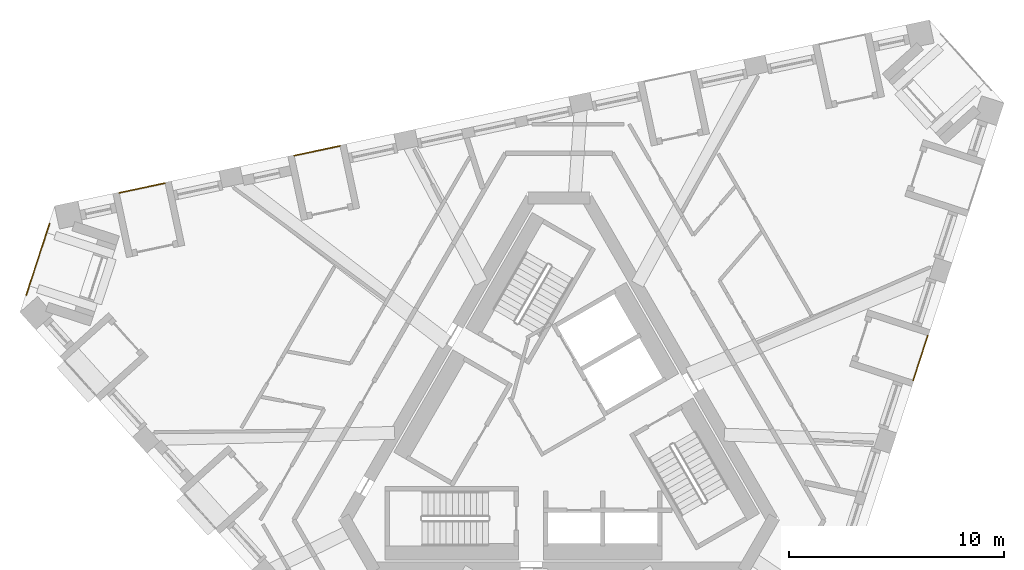
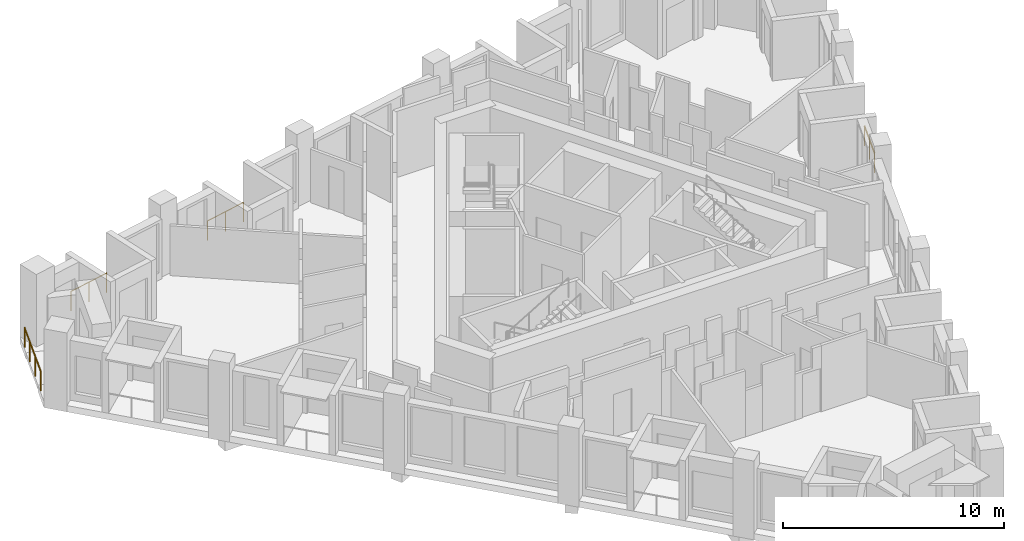
# One storey, part 11 of 12: 4 railings.
"""IFC4 building model written with IfcOpenShell, lengths in metres."""

from ifc_helpers import new_model, si_unit, direction, frame, origin, origin_2d, place, context, subcontext, project, spatial, circle, extrude, material, type_object, element, save


model = new_model("IFC4")

# Units and contexts
model_context = context("Model", 3, precision=1e-05, world=origin(), true_north=direction((0.0, 1.0)))
body_context = subcontext(model_context, "Body", "Model", "MODEL_VIEW")
ifc_project = project(units=[si_unit("LENGTHUNIT", "METRE"), si_unit("AREAUNIT", "SQUARE_METRE"), si_unit("VOLUMEUNIT", "CUBIC_METRE"), si_unit("PLANEANGLEUNIT", "RADIAN"), si_unit("MASSUNIT", "GRAM", prefix="KILO")], contexts=[model_context])

# Site, building, storey
site_placement = place(None, origin())
site = spatial("IfcSite", under=ifc_project, at=site_placement, CompositionType="ELEMENT")
building_placement = place(site_placement, origin())
building = spatial("IfcBuilding", under=site, at=building_placement, Name="Tramontana Tower", CompositionType="ELEMENT")
storey_placement = place(building_placement, frame((0.0, 0.0, 320.39990234375)))
storey = spatial("IfcBuildingStorey", under=building, at=storey_placement, Name="L73", CompositionType="ELEMENT", Elevation=320.39990234375)

# Railings
ifc_material = material(Name="Laminated glass balustrade", Category="glass")
railing_type = type_object("IfcRailingType", Name="GD1 Loggia glass balustrade 1100", PredefinedType="BALUSTRADE", material=ifc_material)
railing_1_placement = place(storey_placement, frame((16.470947265625, 2.24853515625, 0.0)))
element("IfcRailing", 1, at=railing_1_placement, inside=storey, type_object=railing_type, Name="Loggia balustrade L73 G8S1.10", PredefinedType="BALUSTRADE", context=body_context, shape_type="SweptSolid", body=[
    extrude(circle(Radius=0.02392578125, at=origin_2d()), frame((0.0, 0.0, 1.076171875), z_axis=(0.308999623589, 0.95106216023, 0.0), x_axis=(-0.95106216023, 0.308999623589, 0.0)), (0.0, 0.0, 1.0), 2.171142578125),
    extrude(circle(Radius=0.02099609375, at=origin_2d()), origin(), (0.0, 0.0, 1.0), 1.052001953125),
    extrude(circle(Radius=0.02099609375, at=origin_2d()), frame((0.33544921875, 1.032470703125, 0.0)), (0.0, 0.0, 1.0), 1.052001953125),
    extrude(circle(Radius=0.02099609375, at=origin_2d()), frame((0.6708984375, 2.06494140625, 0.0)), (0.0, 0.0, 1.0), 1.052001953125),
])
railing_2_placement = place(storey_placement, frame((-10.1826171875, 13.14013671875, 0.0)))
element("IfcRailing", 2, at=railing_2_placement, inside=storey, type_object=railing_type, Name="Loggia balustrade L73 G8S2.10", PredefinedType="BALUSTRADE", context=body_context, shape_type="SweptSolid", body=[
    extrude(circle(Radius=0.02392578125, at=origin_2d()), frame((0.0, 0.0, 1.076171875), z_axis=(-0.978153135692, -0.207885649183, 0.0), x_axis=(0.207885649183, -0.978153135692, 0.0)), (0.0, 0.0, 1.0), 2.17138671875),
    extrude(circle(Radius=0.02099609375, at=origin_2d()), origin(), (0.0, 0.0, 1.0), 1.052001953125),
    extrude(circle(Radius=0.02099609375, at=origin_2d()), frame((-1.06201171875, -0.2255859375, 0.0)), (0.0, 0.0, 1.0), 1.052001953125),
    extrude(circle(Radius=0.02099609375, at=origin_2d()), frame((-2.1240234375, -0.451416015625, 0.0)), (0.0, 0.0, 1.0), 1.052001953125),
])
railing_3_placement = place(storey_placement, frame((-18.31494140625, 11.411376953125, 0.0)))
element("IfcRailing", 3, at=railing_3_placement, inside=storey, type_object=railing_type, Name="Loggia balustrade L73 G8S2.13", PredefinedType="BALUSTRADE", context=body_context, shape_type="SweptSolid", body=[
    extrude(circle(Radius=0.02392578125, at=origin_2d()), frame((0.0, 0.0, 1.076171875), z_axis=(-0.978148276005, -0.207908513891, 0.0), x_axis=(0.207908513891, -0.978148276005, 0.0)), (0.0, 0.0, 1.0), 2.171142578125),
    extrude(circle(Radius=0.02099609375, at=origin_2d()), origin(), (0.0, 0.0, 1.0), 1.052001953125),
    extrude(circle(Radius=0.02099609375, at=origin_2d()), frame((-1.06201171875, -0.2255859375, 0.0)), (0.0, 0.0, 1.0), 1.052001953125),
    extrude(circle(Radius=0.02099609375, at=origin_2d()), frame((-2.123779296875, -0.451416015625, 0.0)), (0.0, 0.0, 1.0), 1.052001953125),
])
railing_4_placement = place(storey_placement, frame((-24.76416015625, 6.206298828125, 0.0)))
element("IfcRailing", 4, at=railing_4_placement, inside=storey, type_object=railing_type, Name="Corner loggia balustrade L73 K80", PredefinedType="BALUSTRADE", context=body_context, shape_type="SweptSolid", body=[
    extrude(circle(Radius=0.02392578125, at=origin_2d()), frame((0.0, 0.0, 1.076171875), z_axis=(0.309019824916, 0.951055596592, 0.0), x_axis=(-0.951055596592, 0.309019824916, 0.0)), (0.0, 0.0, 1.0), 3.5),
    extrude(circle(Radius=0.02099609375, at=origin_2d()), origin(), (0.0, 0.0, 1.0), 1.052001953125),
    extrude(circle(Radius=0.02099609375, at=origin_2d()), frame((0.360595703125, 1.109619140625, 0.0)), (0.0, 0.0, 1.0), 1.052001953125),
    extrude(circle(Radius=0.02099609375, at=origin_2d()), frame((0.720947265625, 2.218994140625, 0.0)), (0.0, 0.0, 1.0), 1.052001953125),
    extrude(circle(Radius=0.02099609375, at=origin_2d()), frame((1.08154296875, 3.32861328125, 0.0)), (0.0, 0.0, 1.0), 1.052001953125),
])

save(model, "model.ifc")
